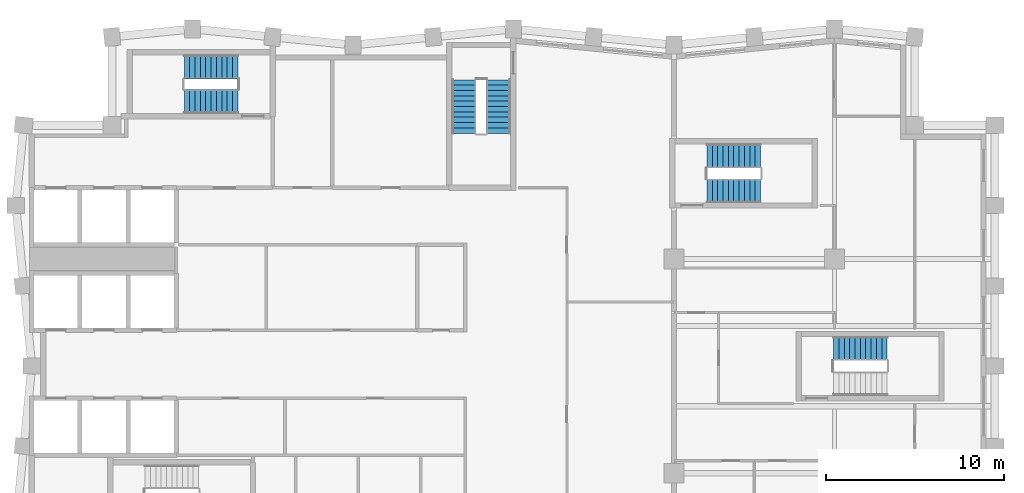
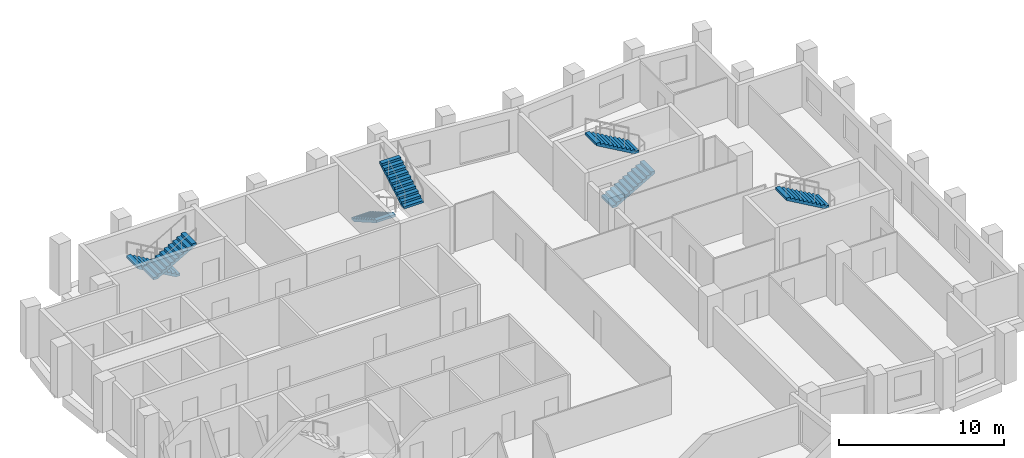
# One storey, part 7 of 8: 7 stair flights, 4 elements without a shape of their own.
"""IFC4 building model written with IfcOpenShell, lengths in metres."""

import ifcopenshell
import ifcopenshell.guid

model = None  # the IFC model being written
_history = None  # IfcOwnerHistory: only IFC2X3 demands one
_inside = {}  # id of a spatial element -> (the spatial element, [elements in it])
_under = {}  # id of a project, library or spatial element -> (it, [spatial elements below it])
_declared = {}  # id of a project -> (the project, [libraries it declares])
_typed = {}  # id of a type object -> (the type object, [elements of that type])
_made_of = {}  # id of a material, layer set ... -> (it, [elements and type objects made of it])


def new_model(schema):
    """Start an empty IFC model of exactly this schema.

    Asked for "IFC4X3", IfcOpenShell would pick the latest addendum, in which some entities
    have other attributes; the version numbers below select the first issue.
    IFC2X3 requires an IfcOwnerHistory on every rooted entity: one is made here for all.
    """
    global model, _history
    if schema == "IFC4X3":
        model = ifcopenshell.file(schema_version=(4, 3, 0, 0))
    else:
        model = ifcopenshell.file(schema=schema)
    _inside.clear()
    _under.clear()
    _declared.clear()
    _typed.clear()
    _made_of.clear()
    _history = None
    if model.schema == "IFC2X3":
        org = make("IfcOrganization", Name="unknown")
        user = make(
            "IfcPersonAndOrganization",
            ThePerson=make("IfcPerson", FamilyName="unknown"),
            TheOrganization=org,
        )
        app = make(
            "IfcApplication",
            ApplicationDeveloper=org,
            Version="unknown",
            ApplicationFullName="unknown",
            ApplicationIdentifier="unknown",
        )
        _history = make(
            "IfcOwnerHistory",
            OwningUser=user,
            OwningApplication=app,
            ChangeAction="ADDED",
            CreationDate=0,
        )
    return model


def make(cls, **values):
    """One entity of the class cls with the attributes given. An attribute that is None is left unset."""
    return model.create_entity(
        cls, **{name: value for name, value in values.items() if value is not None}
    )


def rooted(cls, **values):
    """An entity with a GlobalId (a new one), such as an element, a storey or a relation."""
    return make(cls, GlobalId=ifcopenshell.guid.new(), OwnerHistory=_history, **values)


def si_unit(unit_type, name, prefix=None):
    """IfcSIUnit, for example si_unit("LENGTHUNIT", "METRE", prefix="MILLI")."""
    return make("IfcSIUnit", UnitType=unit_type, Prefix=prefix, Name=name)


def assignment(units):
    """IfcUnitAssignment: the units of a project."""
    return None if units is None else make("IfcUnitAssignment", Units=units)


def point(xyz):
    """IfcCartesianPoint."""
    return None if xyz is None else make("IfcCartesianPoint", Coordinates=xyz)


def direction(xyz):
    """IfcDirection."""
    return None if xyz is None else make("IfcDirection", DirectionRatios=xyz)


def frame(location, z_axis=None, x_axis=None):
    """IfcAxis2Placement3D, a coordinate frame: its origin and axes. An axis left out is left unset."""
    return make(
        "IfcAxis2Placement3D",
        Location=point(location),
        Axis=direction(z_axis),
        RefDirection=direction(x_axis),
    )


def origin():
    """The frame at (0, 0, 0) with its axes left unset."""
    return frame((0.0, 0.0, 0.0))


def place(relative_to, where):
    """IfcLocalPlacement: puts the frame where relative to a parent placement (None: the world)."""
    return make(
        "IfcLocalPlacement", PlacementRelTo=relative_to, RelativePlacement=where
    )


def context(
    kind, dimensions, precision=None, world=None, true_north=None, identifier=None
):
    """IfcGeometricRepresentationContext, for example the 3D "Model" context."""
    return make(
        "IfcGeometricRepresentationContext",
        ContextIdentifier=identifier,
        ContextType=kind,
        CoordinateSpaceDimension=dimensions,
        Precision=precision,
        WorldCoordinateSystem=world,
        TrueNorth=true_north,
    )


def subcontext(parent, identifier, kind, view, scale=None):
    """IfcGeometricRepresentationSubContext, for example "Body" below "Model"."""
    return make(
        "IfcGeometricRepresentationSubContext",
        ContextIdentifier=identifier,
        ContextType=kind,
        ParentContext=parent,
        TargetScale=scale,
        TargetView=view,
    )


def project(units=None, contexts=None):
    """IfcProject with its units and contexts."""
    return rooted(
        "IfcProject",
        Name="project",
        RepresentationContexts=contexts,
        UnitsInContext=assignment(units),
    )


def spatial(cls, under=None, at=None, **own):
    """A site, building, storey or space (cls), placed at a placement, below another one or the project."""
    s = rooted(cls, ObjectPlacement=at, **own)
    if under is not None:
        _under.setdefault(under.id(), (under, []))[1].append(s)
    return s


def polyline(points):
    """IfcPolyline through the points."""
    return make("IfcPolyline", Points=[point(p) for p in points])


def outline(outer, holes=None, kind="AREA"):
    """IfcArbitraryClosedProfileDef: a profile drawn as a closed curve; with holes, ...WithVoids."""
    if holes is None:
        return make("IfcArbitraryClosedProfileDef", ProfileType=kind, OuterCurve=outer)
    return make(
        "IfcArbitraryProfileDefWithVoids",
        ProfileType=kind,
        OuterCurve=outer,
        InnerCurves=holes,
    )


def extrude(swept, where, along, depth):
    """IfcExtrudedAreaSolid: the profile swept, set in the frame where, extruded along a direction by depth."""
    return make(
        "IfcExtrudedAreaSolid",
        SweptArea=swept,
        Position=where,
        ExtrudedDirection=direction(along),
        Depth=depth,
    )


def shape(context_of_items, identifier, shape_type, items):
    """IfcShapeRepresentation: the items that make up one representation, for example the "Body"."""
    return make(
        "IfcShapeRepresentation",
        ContextOfItems=context_of_items,
        RepresentationIdentifier=identifier,
        RepresentationType=shape_type,
        Items=items,
    )


def material(Name=None, Category=None):
    """IfcMaterial."""
    return make("IfcMaterial", Name=Name, Category=Category)


def made_of(thing, what):
    """Note that an element or type object is made of a material, layer set ...; save() writes the relation."""
    if what is not None:
        _made_of.setdefault(what.id(), (what, []))[1].append(thing)
    return thing


def type_object(cls, material=None, **own):
    """A type object (cls), such as IfcWallType, which elements share."""
    return made_of(rooted(cls, **own), material)


def element(
    cls,
    number,
    at=None,
    inside=None,
    cuts=None,
    type_object=None,
    material=None,
    context=None,
    identifier="Body",
    shape_type=None,
    held_by="IfcProductDefinitionShape",
    body=None,
    shapes=None,
    **own,
):
    """One element of the class cls, such as IfcWall. Its Tag is "e" and its number.

    at: its placement. inside: the storey or other place that contains it. cuts: it is an
    opening in that element (IfcRelVoidsElement). A single representation is given by context,
    identifier, shape_type and body (its items); several are given by shapes. held_by: the class
    of the entity that holds the representations. save() writes the other relations.
    """
    e = rooted(cls, Tag="e%d" % number, ObjectPlacement=at, **own)
    if body is not None:
        shapes = [shape(context, identifier, shape_type, body)]
    if shapes is not None:
        e.Representation = make(held_by, Representations=shapes)
    if inside is not None:
        _inside.setdefault(inside.id(), (inside, []))[1].append(e)
    if cuts is not None:
        rooted(
            "IfcRelVoidsElement", RelatingBuildingElement=cuts, RelatedOpeningElement=e
        )
    if type_object is not None:
        _typed.setdefault(type_object.id(), (type_object, []))[1].append(e)
    return made_of(e, material)


def aggregate(whole, parts):
    """IfcRelAggregates: a whole, such as a stair, and the parts it consists of."""
    return rooted("IfcRelAggregates", RelatingObject=whole, RelatedObjects=parts)


def save(model, path):
    """Write the relations noted so far, then the file.

    IfcRelAggregates (storeys below a building ...), IfcRelContainedInSpatialStructure (elements
    in a storey), IfcRelDefinesByType, IfcRelAssociatesMaterial and IfcRelDeclares: one each for
    every whole, place, type object, material and project.
    """
    for whole, parts in _under.values():
        aggregate(whole, parts)
    for where, things in _inside.values():
        rooted(
            "IfcRelContainedInSpatialStructure",
            RelatedElements=things,
            RelatingStructure=where,
        )
    for kind, things in _typed.values():
        rooted("IfcRelDefinesByType", RelatedObjects=things, RelatingType=kind)
    for what, things in _made_of.values():
        rooted("IfcRelAssociatesMaterial", RelatedObjects=things, RelatingMaterial=what)
    for by, libraries in _declared.values():
        rooted("IfcRelDeclares", RelatingContext=by, RelatedDefinitions=libraries)
    model.write(path)


model = new_model("IFC4")

# Units and contexts
model_context = context("Model", 3, precision=1e-05, world=origin(), true_north=direction((0.0, 1.0)))
body_context = subcontext(model_context, "Body", "Model", "MODEL_VIEW")
ifc_project = project(units=[si_unit("LENGTHUNIT", "METRE"), si_unit("AREAUNIT", "SQUARE_METRE"), si_unit("VOLUMEUNIT", "CUBIC_METRE"), si_unit("PLANEANGLEUNIT", "RADIAN"), si_unit("MASSUNIT", "GRAM", prefix="KILO")], contexts=[model_context])

# Site, building, storey
site_placement = place(None, origin())
site = spatial("IfcSite", under=ifc_project, at=site_placement, CompositionType="ELEMENT")
building_placement = place(site_placement, origin())
building = spatial("IfcBuilding", under=site, at=building_placement, Name="Brondeck Convention Tower", CompositionType="ELEMENT")
storey_placement = place(building_placement, frame((0.0, 0.0, 229.199951171875)))
storey = spatial("IfcBuildingStorey", under=building, at=storey_placement, Name="L56", CompositionType="ELEMENT", Elevation=229.199951171875)

# Stair, stair flights
ifc_material = material(Name="Precast concrete C50/60", Category="concrete")
stair_type = type_object("IfcStairType", Name="Core stair 22 risers 172.73 mm riser 300 mm going 1350 wide", PredefinedType="HALF_TURN_STAIR", material=ifc_material)
stair_1_placement = place(storey_placement, origin())
stair_1 = element("IfcStair", 1, at=stair_1_placement, inside=storey, type_object=stair_type, Name="ST-2 L56 stair", PredefinedType="HALF_TURN_STAIR")
stair_flight_type = type_object("IfcStairFlightType", Name="Core stair flight 22 risers 172.73 mm riser 300 mm going 1350 wide", PredefinedType="STRAIGHT", material=ifc_material)
stair_flight_1_placement = place(storey_placement, frame((24.22509765625, 61.050048828125, 0.0), z_axis=(0.0, 0.0, 1.0), x_axis=(0.0, -1.0, 0.0)))
stair_flight_1 = element("IfcStairFlight", 2, at=stair_flight_1_placement, type_object=stair_flight_type, Name="ST-2 flight 1", NumberOfRisers=11, NumberOfTreads=10, PredefinedType="STRAIGHT", RiserHeight=0.172727273, TreadLength=0.3, context=body_context, shape_type="SweptSolid", body=[
    extrude(outline(polyline([(0.0, 0.0), (0.0, 0.172607421875), (0.300048828125, 0.172607421875), (0.300048828125, 0.345458984375), (0.60009765625, 0.345458984375), (0.60009765625, 0.51806640625), (0.89990234375, 0.51806640625), (0.89990234375, 0.69091796875), (1.199951171875, 0.69091796875), (1.199951171875, 0.863525390625), (1.5, 0.863525390625), (1.5, 1.036376953125), (1.800048828125, 1.036376953125), (1.800048828125, 1.208984375), (2.10009765625, 1.208984375), (2.10009765625, 1.3818359375), (2.39990234375, 1.3818359375), (2.39990234375, 1.554443359375), (2.699951171875, 1.554443359375), (2.699951171875, 1.727294921875), (3.0, 1.727294921875), (3.0, 1.89990234375), (3.0, 1.55419921875), (0.300537109375, 0.0), (0.0, 0.0)])), frame((0.0, 0.675048828125, 0.0), z_axis=(0.0, -1.0, 0.0), x_axis=(1.0, 0.0, 0.0)), (0.0, 0.0, 1.0), 1.35009765625),
])
stair_flight_2_placement = place(storey_placement, frame((26.175048828125, 58.050048828125, 1.900146484375), z_axis=(0.0, 0.0, 1.0), x_axis=(0.0, 1.0, 0.0)))
stair_flight_2 = element("IfcStairFlight", 3, at=stair_flight_2_placement, type_object=stair_flight_type, Name="ST-2 flight 2", NumberOfRisers=11, NumberOfTreads=10, PredefinedType="STRAIGHT", RiserHeight=0.172727273, TreadLength=0.3, context=body_context, shape_type="SweptSolid", body=[
    extrude(outline(polyline([(0.0, 0.0), (0.0, 0.172607421875), (0.300048828125, 0.172607421875), (0.300048828125, 0.345458984375), (0.60009765625, 0.345458984375), (0.60009765625, 0.51806640625), (0.89990234375, 0.51806640625), (0.89990234375, 0.69091796875), (1.199951171875, 0.69091796875), (1.199951171875, 0.863525390625), (1.5, 0.863525390625), (1.5, 1.036376953125), (1.800048828125, 1.036376953125), (1.800048828125, 1.208984375), (2.10009765625, 1.208984375), (2.10009765625, 1.3818359375), (2.39990234375, 1.3818359375), (2.39990234375, 1.554443359375), (2.699951171875, 1.554443359375), (2.699951171875, 1.727294921875), (3.0, 1.727294921875), (3.0, 1.89990234375), (3.0, 1.55419921875), (0.300537109375, 0.0), (0.0, 0.0)])), frame((0.0, 0.675048828125, 0.0), z_axis=(0.0, -1.0, 0.0), x_axis=(1.0, 0.0, 0.0)), (0.0, 0.0, 1.0), 1.35009765625),
])
aggregate(stair_1, [stair_flight_1, stair_flight_2])

stair_2_placement = place(storey_placement, origin())
stair_2 = element("IfcStair", 4, at=stair_2_placement, inside=storey, type_object=stair_type, Name="ST-3 L56 stair", PredefinedType="HALF_TURN_STAIR")
stair_flight_3_placement = place(storey_placement, frame((11.550048828125, 61.77490234375, 0.0), z_axis=(0.0, 0.0, 1.0), x_axis=(-1.0, 0.0, 0.0)))
stair_flight_3 = element("IfcStairFlight", 5, at=stair_flight_3_placement, type_object=stair_flight_type, Name="ST-3 flight 1", NumberOfRisers=11, NumberOfTreads=10, PredefinedType="STRAIGHT", RiserHeight=0.172727273, TreadLength=0.3, context=body_context, shape_type="SweptSolid", body=[
    extrude(outline(polyline([(0.0, 0.0), (0.0, 0.172607421875), (0.300048828125, 0.172607421875), (0.300048828125, 0.345458984375), (0.60009765625, 0.345458984375), (0.60009765625, 0.51806640625), (0.89990234375, 0.51806640625), (0.89990234375, 0.69091796875), (1.199951171875, 0.69091796875), (1.199951171875, 0.863525390625), (1.5, 0.863525390625), (1.5, 1.036376953125), (1.800048828125, 1.036376953125), (1.800048828125, 1.208984375), (2.10009765625, 1.208984375), (2.10009765625, 1.3818359375), (2.39990234375, 1.3818359375), (2.39990234375, 1.554443359375), (2.699951171875, 1.554443359375), (2.699951171875, 1.727294921875), (3.0, 1.727294921875), (3.0, 1.89990234375), (3.0, 1.55419921875), (0.300537109375, 0.0), (0.0, 0.0)])), frame((0.0, 0.675048828125, 0.0), z_axis=(0.0, -1.0, 0.0), x_axis=(1.0, 0.0, 0.0)), (0.0, 0.0, 1.0), 1.35009765625),
])
stair_flight_4_placement = place(storey_placement, frame((8.550048828125, 59.824951171875, 1.900146484375), z_axis=(0.0, 0.0, 1.0), x_axis=(1.0, 0.0, 0.0)))
stair_flight_4 = element("IfcStairFlight", 6, at=stair_flight_4_placement, type_object=stair_flight_type, Name="ST-3 flight 2", NumberOfRisers=11, NumberOfTreads=10, PredefinedType="STRAIGHT", RiserHeight=0.172727273, TreadLength=0.3, context=body_context, shape_type="SweptSolid", body=[
    extrude(outline(polyline([(0.0, 0.0), (0.0, 0.172607421875), (0.300048828125, 0.172607421875), (0.300048828125, 0.345458984375), (0.60009765625, 0.345458984375), (0.60009765625, 0.51806640625), (0.89990234375, 0.51806640625), (0.89990234375, 0.69091796875), (1.199951171875, 0.69091796875), (1.199951171875, 0.863525390625), (1.5, 0.863525390625), (1.5, 1.036376953125), (1.800048828125, 1.036376953125), (1.800048828125, 1.208984375), (2.10009765625, 1.208984375), (2.10009765625, 1.3818359375), (2.39990234375, 1.3818359375), (2.39990234375, 1.554443359375), (2.699951171875, 1.554443359375), (2.699951171875, 1.727294921875), (3.0, 1.727294921875), (3.0, 1.89990234375), (3.0, 1.55419921875), (0.300537109375, 0.0), (0.0, 0.0)])), frame((0.0, 0.675048828125, 0.0), z_axis=(0.0, -1.0, 0.0), x_axis=(1.0, 0.0, 0.0)), (0.0, 0.0, 1.0), 1.35009765625),
])
aggregate(stair_2, [stair_flight_3, stair_flight_4])

stair_3_placement = place(storey_placement, origin())
stair_3 = element("IfcStair", 7, at=stair_3_placement, inside=storey, type_object=stair_type, Name="ST-AE L56 stair", PredefinedType="HALF_TURN_STAIR")
stair_flight_5_placement = place(storey_placement, frame((37.85009765625, 54.824951171875, 0.0), z_axis=(0.0, 0.0, 1.0), x_axis=(1.0, 0.0, 0.0)))
stair_flight_5 = element("IfcStairFlight", 8, at=stair_flight_5_placement, type_object=stair_flight_type, Name="ST-AE flight 1", NumberOfRisers=11, NumberOfTreads=10, PredefinedType="STRAIGHT", RiserHeight=0.172727273, TreadLength=0.3, context=body_context, shape_type="SweptSolid", body=[
    extrude(outline(polyline([(0.0, 0.0), (0.0, 0.172607421875), (0.300048828125, 0.172607421875), (0.300048828125, 0.345458984375), (0.60009765625, 0.345458984375), (0.60009765625, 0.51806640625), (0.89990234375, 0.51806640625), (0.89990234375, 0.69091796875), (1.199951171875, 0.69091796875), (1.199951171875, 0.863525390625), (1.5, 0.863525390625), (1.5, 1.036376953125), (1.800048828125, 1.036376953125), (1.800048828125, 1.208984375), (2.10009765625, 1.208984375), (2.10009765625, 1.3818359375), (2.39990234375, 1.3818359375), (2.39990234375, 1.554443359375), (2.699951171875, 1.554443359375), (2.699951171875, 1.727294921875), (3.0, 1.727294921875), (3.0, 1.89990234375), (3.0, 1.55419921875), (0.300537109375, 0.0), (0.0, 0.0)])), frame((0.0, 0.675048828125, 0.0), z_axis=(0.0, -1.0, 0.0), x_axis=(1.0, 0.0, 0.0)), (0.0, 0.0, 1.0), 1.35009765625),
])
stair_flight_6_placement = place(storey_placement, frame((40.85009765625, 56.77490234375, 1.900146484375), z_axis=(0.0, 0.0, 1.0), x_axis=(-1.0, 0.0, 0.0)))
stair_flight_6 = element("IfcStairFlight", 9, at=stair_flight_6_placement, type_object=stair_flight_type, Name="ST-AE flight 2", NumberOfRisers=11, NumberOfTreads=10, PredefinedType="STRAIGHT", RiserHeight=0.172727273, TreadLength=0.3, context=body_context, shape_type="SweptSolid", body=[
    extrude(outline(polyline([(0.0, 0.0), (0.0, 0.172607421875), (0.300048828125, 0.172607421875), (0.300048828125, 0.345458984375), (0.60009765625, 0.345458984375), (0.60009765625, 0.51806640625), (0.89990234375, 0.51806640625), (0.89990234375, 0.69091796875), (1.199951171875, 0.69091796875), (1.199951171875, 0.863525390625), (1.5, 0.863525390625), (1.5, 1.036376953125), (1.800048828125, 1.036376953125), (1.800048828125, 1.208984375), (2.10009765625, 1.208984375), (2.10009765625, 1.3818359375), (2.39990234375, 1.3818359375), (2.39990234375, 1.554443359375), (2.699951171875, 1.554443359375), (2.699951171875, 1.727294921875), (3.0, 1.727294921875), (3.0, 1.89990234375), (3.0, 1.55419921875), (0.300537109375, 0.0), (0.0, 0.0)])), frame((0.0, 0.675048828125, 0.0), z_axis=(0.0, -1.0, 0.0), x_axis=(1.0, 0.0, 0.0)), (0.0, 0.0, 1.0), 1.35009765625),
])
aggregate(stair_3, [stair_flight_5, stair_flight_6])

# Stair, stair flight
stair_4_placement = place(storey_placement, origin())
stair_4 = element("IfcStair", 10, at=stair_4_placement, inside=storey, type_object=stair_type, Name="ST-AF L56 stair", PredefinedType="HALF_TURN_STAIR")
stair_flight_7_placement = place(storey_placement, frame((47.949951171875, 45.97509765625, 1.900146484375), z_axis=(0.0, 0.0, 1.0), x_axis=(-1.0, 0.0, 0.0)))
stair_flight_7 = element("IfcStairFlight", 11, at=stair_flight_7_placement, type_object=stair_flight_type, Name="ST-AF flight 2", NumberOfRisers=11, NumberOfTreads=10, PredefinedType="STRAIGHT", RiserHeight=0.172727273, TreadLength=0.3, context=body_context, shape_type="SweptSolid", body=[
    extrude(outline(polyline([(0.0, 0.0), (0.0, 0.172607421875), (0.300048828125, 0.172607421875), (0.300048828125, 0.345458984375), (0.60009765625, 0.345458984375), (0.60009765625, 0.51806640625), (0.89990234375, 0.51806640625), (0.89990234375, 0.69091796875), (1.199951171875, 0.69091796875), (1.199951171875, 0.863525390625), (1.5, 0.863525390625), (1.5, 1.036376953125), (1.800048828125, 1.036376953125), (1.800048828125, 1.208984375), (2.10009765625, 1.208984375), (2.10009765625, 1.3818359375), (2.39990234375, 1.3818359375), (2.39990234375, 1.554443359375), (2.699951171875, 1.554443359375), (2.699951171875, 1.727294921875), (3.0, 1.727294921875), (3.0, 1.89990234375), (3.0, 1.55419921875), (0.300537109375, 0.0), (0.0, 0.0)])), frame((0.0, 0.675048828125, 0.0), z_axis=(0.0, -1.0, 0.0), x_axis=(1.0, 0.0, 0.0)), (0.0, 0.0, 1.0), 1.35009765625),
])
aggregate(stair_4, [stair_flight_7])

save(model, "model.ifc")
